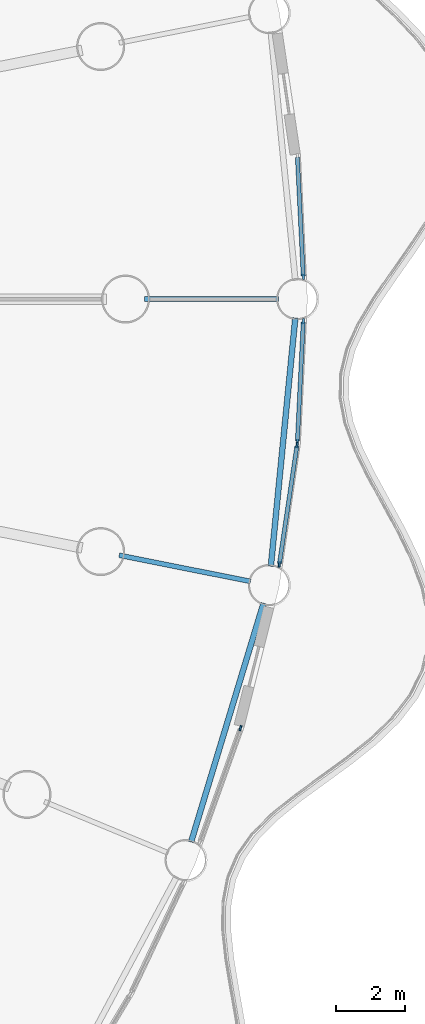
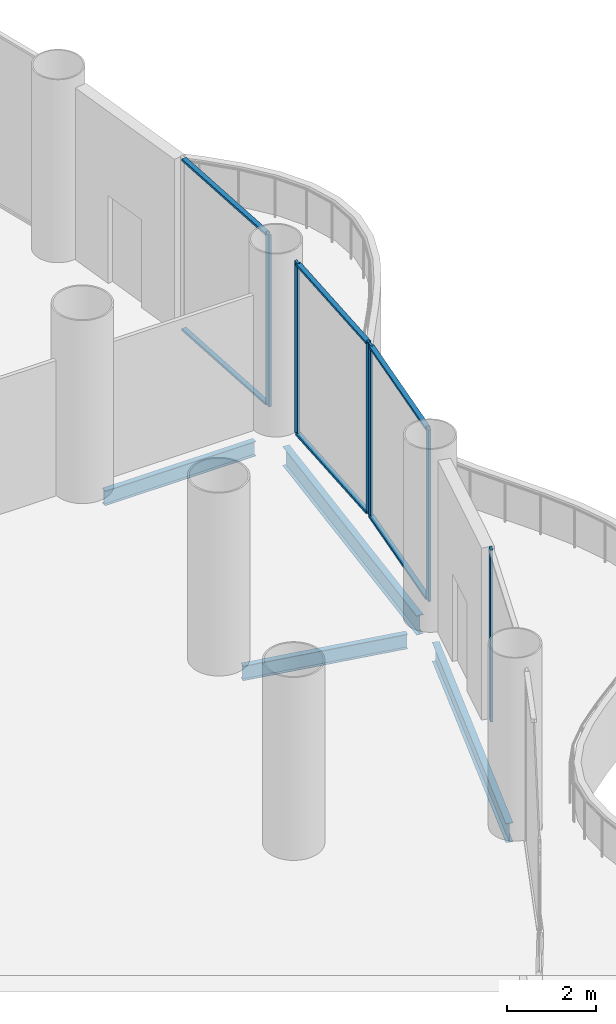
# One storey, part 12 of 35: 12 members, 4 beams, 4 elements without a shape of their own.
"""IFC4 building model written with IfcOpenShell, lengths in metres."""

import ifcopenshell
import ifcopenshell.guid

model = None  # the IFC model being written
_history = None  # IfcOwnerHistory: only IFC2X3 demands one
_inside = {}  # id of a spatial element -> (the spatial element, [elements in it])
_under = {}  # id of a project, library or spatial element -> (it, [spatial elements below it])
_declared = {}  # id of a project -> (the project, [libraries it declares])
_typed = {}  # id of a type object -> (the type object, [elements of that type])
_made_of = {}  # id of a material, layer set ... -> (it, [elements and type objects made of it])


def new_model(schema):
    """Start an empty IFC model of exactly this schema.

    Asked for "IFC4X3", IfcOpenShell would pick the latest addendum, in which some entities
    have other attributes; the version numbers below select the first issue.
    IFC2X3 requires an IfcOwnerHistory on every rooted entity: one is made here for all.
    """
    global model, _history
    if schema == "IFC4X3":
        model = ifcopenshell.file(schema_version=(4, 3, 0, 0))
    else:
        model = ifcopenshell.file(schema=schema)
    _inside.clear()
    _under.clear()
    _declared.clear()
    _typed.clear()
    _made_of.clear()
    _history = None
    if model.schema == "IFC2X3":
        org = make("IfcOrganization", Name="unknown")
        user = make(
            "IfcPersonAndOrganization",
            ThePerson=make("IfcPerson", FamilyName="unknown"),
            TheOrganization=org,
        )
        app = make(
            "IfcApplication",
            ApplicationDeveloper=org,
            Version="unknown",
            ApplicationFullName="unknown",
            ApplicationIdentifier="unknown",
        )
        _history = make(
            "IfcOwnerHistory",
            OwningUser=user,
            OwningApplication=app,
            ChangeAction="ADDED",
            CreationDate=0,
        )
    return model


def make(cls, **values):
    """One entity of the class cls with the attributes given. An attribute that is None is left unset."""
    return model.create_entity(
        cls, **{name: value for name, value in values.items() if value is not None}
    )


def rooted(cls, **values):
    """An entity with a GlobalId (a new one), such as an element, a storey or a relation."""
    return make(cls, GlobalId=ifcopenshell.guid.new(), OwnerHistory=_history, **values)


def si_unit(unit_type, name, prefix=None):
    """IfcSIUnit, for example si_unit("LENGTHUNIT", "METRE", prefix="MILLI")."""
    return make("IfcSIUnit", UnitType=unit_type, Prefix=prefix, Name=name)


def assignment(units):
    """IfcUnitAssignment: the units of a project."""
    return None if units is None else make("IfcUnitAssignment", Units=units)


def point(xyz):
    """IfcCartesianPoint."""
    return None if xyz is None else make("IfcCartesianPoint", Coordinates=xyz)


def direction(xyz):
    """IfcDirection."""
    return None if xyz is None else make("IfcDirection", DirectionRatios=xyz)


def frame(location, z_axis=None, x_axis=None):
    """IfcAxis2Placement3D, a coordinate frame: its origin and axes. An axis left out is left unset."""
    return make(
        "IfcAxis2Placement3D",
        Location=point(location),
        Axis=direction(z_axis),
        RefDirection=direction(x_axis),
    )


def frame_2d(location, x_axis=None):
    """IfcAxis2Placement2D, a coordinate frame in the plane: its origin and x axis."""
    return make(
        "IfcAxis2Placement2D", Location=point(location), RefDirection=direction(x_axis)
    )


def origin():
    """The frame at (0, 0, 0) with its axes left unset."""
    return frame((0.0, 0.0, 0.0))


def origin_2d():
    """The frame at (0, 0) in the plane with its x axis left unset."""
    return frame_2d((0.0, 0.0))


def place(relative_to, where):
    """IfcLocalPlacement: puts the frame where relative to a parent placement (None: the world)."""
    return make(
        "IfcLocalPlacement", PlacementRelTo=relative_to, RelativePlacement=where
    )


def context(
    kind, dimensions, precision=None, world=None, true_north=None, identifier=None
):
    """IfcGeometricRepresentationContext, for example the 3D "Model" context."""
    return make(
        "IfcGeometricRepresentationContext",
        ContextIdentifier=identifier,
        ContextType=kind,
        CoordinateSpaceDimension=dimensions,
        Precision=precision,
        WorldCoordinateSystem=world,
        TrueNorth=true_north,
    )


def subcontext(parent, identifier, kind, view, scale=None):
    """IfcGeometricRepresentationSubContext, for example "Body" below "Model"."""
    return make(
        "IfcGeometricRepresentationSubContext",
        ContextIdentifier=identifier,
        ContextType=kind,
        ParentContext=parent,
        TargetScale=scale,
        TargetView=view,
    )


def project(units=None, contexts=None):
    """IfcProject with its units and contexts."""
    return rooted(
        "IfcProject",
        Name="project",
        RepresentationContexts=contexts,
        UnitsInContext=assignment(units),
    )


def spatial(cls, under=None, at=None, **own):
    """A site, building, storey or space (cls), placed at a placement, below another one or the project."""
    s = rooted(cls, ObjectPlacement=at, **own)
    if under is not None:
        _under.setdefault(under.id(), (under, []))[1].append(s)
    return s


def profile(cls, at=None, kind="AREA", **sizes):
    """A parametric profile (cls). Its sizes go by their IFC names, for example OverallWidth=200.0."""
    return make(cls, ProfileType=kind, Position=at, **sizes)


def rectangle(**sizes):
    """IfcRectangleProfileDef."""
    return profile("IfcRectangleProfileDef", **sizes)


def i_section(**sizes):
    """IfcIShapeProfileDef."""
    return profile("IfcIShapeProfileDef", **sizes)


def extrude(swept, where, along, depth):
    """IfcExtrudedAreaSolid: the profile swept, set in the frame where, extruded along a direction by depth."""
    return make(
        "IfcExtrudedAreaSolid",
        SweptArea=swept,
        Position=where,
        ExtrudedDirection=direction(along),
        Depth=depth,
    )


def shape(context_of_items, identifier, shape_type, items):
    """IfcShapeRepresentation: the items that make up one representation, for example the "Body"."""
    return make(
        "IfcShapeRepresentation",
        ContextOfItems=context_of_items,
        RepresentationIdentifier=identifier,
        RepresentationType=shape_type,
        Items=items,
    )


def material(Name=None, Category=None):
    """IfcMaterial."""
    return make("IfcMaterial", Name=Name, Category=Category)


def material_profile(
    of_material, cross_section, Name=None, Category=None, Priority=None
):
    """IfcMaterialProfile: a cross section and its material."""
    return make(
        "IfcMaterialProfile",
        Name=Name,
        Material=of_material,
        Profile=cross_section,
        Priority=Priority,
        Category=Category,
    )


def profile_set(profiles, Name=None, composite=None):
    """IfcMaterialProfileSet."""
    return make(
        "IfcMaterialProfileSet",
        Name=Name,
        MaterialProfiles=profiles,
        CompositeProfile=composite,
    )


def made_of(thing, what):
    """Note that an element or type object is made of a material, layer set ...; save() writes the relation."""
    if what is not None:
        _made_of.setdefault(what.id(), (what, []))[1].append(thing)
    return thing


def type_object(cls, material=None, **own):
    """A type object (cls), such as IfcWallType, which elements share."""
    return made_of(rooted(cls, **own), material)


def element(
    cls,
    number,
    at=None,
    inside=None,
    cuts=None,
    type_object=None,
    material=None,
    context=None,
    identifier="Body",
    shape_type=None,
    held_by="IfcProductDefinitionShape",
    body=None,
    shapes=None,
    **own,
):
    """One element of the class cls, such as IfcWall. Its Tag is "e" and its number.

    at: its placement. inside: the storey or other place that contains it. cuts: it is an
    opening in that element (IfcRelVoidsElement). A single representation is given by context,
    identifier, shape_type and body (its items); several are given by shapes. held_by: the class
    of the entity that holds the representations. save() writes the other relations.
    """
    e = rooted(cls, Tag="e%d" % number, ObjectPlacement=at, **own)
    if body is not None:
        shapes = [shape(context, identifier, shape_type, body)]
    if shapes is not None:
        e.Representation = make(held_by, Representations=shapes)
    if inside is not None:
        _inside.setdefault(inside.id(), (inside, []))[1].append(e)
    if cuts is not None:
        rooted(
            "IfcRelVoidsElement", RelatingBuildingElement=cuts, RelatedOpeningElement=e
        )
    if type_object is not None:
        _typed.setdefault(type_object.id(), (type_object, []))[1].append(e)
    return made_of(e, material)


def aggregate(whole, parts):
    """IfcRelAggregates: a whole, such as a stair, and the parts it consists of."""
    return rooted("IfcRelAggregates", RelatingObject=whole, RelatedObjects=parts)


def save(model, path):
    """Write the relations noted so far, then the file.

    IfcRelAggregates (storeys below a building ...), IfcRelContainedInSpatialStructure (elements
    in a storey), IfcRelDefinesByType, IfcRelAssociatesMaterial and IfcRelDeclares: one each for
    every whole, place, type object, material and project.
    """
    for whole, parts in _under.values():
        aggregate(whole, parts)
    for where, things in _inside.values():
        rooted(
            "IfcRelContainedInSpatialStructure",
            RelatedElements=things,
            RelatingStructure=where,
        )
    for kind, things in _typed.values():
        rooted("IfcRelDefinesByType", RelatedObjects=things, RelatingType=kind)
    for what, things in _made_of.values():
        rooted("IfcRelAssociatesMaterial", RelatedObjects=things, RelatingMaterial=what)
    for by, libraries in _declared.values():
        rooted("IfcRelDeclares", RelatingContext=by, RelatedDefinitions=libraries)
    model.write(path)


model = new_model("IFC4")

# Units and contexts
model_context = context("Model", 3, precision=1e-05, world=origin(), true_north=direction((0.0, 1.0)))
body_context = subcontext(model_context, "Body", "Model", "MODEL_VIEW")
ifc_project = project(units=[si_unit("LENGTHUNIT", "METRE"), si_unit("AREAUNIT", "SQUARE_METRE"), si_unit("VOLUMEUNIT", "CUBIC_METRE"), si_unit("PLANEANGLEUNIT", "RADIAN"), si_unit("MASSUNIT", "GRAM", prefix="KILO")], contexts=[model_context])

# Site, building, storey
site_placement = place(None, origin())
site = spatial("IfcSite", under=ifc_project, at=site_placement, CompositionType="ELEMENT")
building_placement = place(site_placement, origin())
building = spatial("IfcBuilding", under=site, at=building_placement, Name="Corvane Civic Tower", CompositionType="ELEMENT")
storey_placement = place(building_placement, frame((0.0, 0.0, 27.0)))
storey = spatial("IfcBuildingStorey", under=building, at=storey_placement, Name="L05", CompositionType="ELEMENT", Elevation=27.0)

# Beams
ifc_material_1 = material(Name="Steel ASTM A992 Gr 50", Category="steel")
ifc_material_profile_1 = material_profile(ifc_material_1, i_section(OverallWidth=0.165771484375, OverallDepth=0.5283203125, WebThickness=0.009765625, FlangeThickness=0.013671875, at=origin_2d()), Name="W21X50")
ifc_profile_set_1 = profile_set([ifc_material_profile_1], Name="Steel ASTM A992 Gr 50")
beam_type_1 = type_object("IfcBeamType", Name="EDGE BEAM W21X50", PredefinedType="BEAM", material=ifc_profile_set_1)
for number, where, z_axis, x_axis, name in (
    (1, (42.64599609375, -0.54736328125, -0.564208984375), (-0.097984225478, -0.995187967953, 0.0), (0.995187967953, -0.097984225478, 0.0), "BM-L05-E09"),
    (2, (41.719970703125, -8.856689453125, -0.564208984375), (-0.290291633127, -0.956938225664, 0.0), (0.956938225664, -0.290291633127, 0.0), "BM-L05-E10"),
):
    element("IfcBeam", number, at=place(storey_placement, frame(where, z_axis=z_axis, x_axis=x_axis)), inside=storey, type_object=beam_type_1, Name=name, PredefinedType="BEAM", context=body_context, shape_type="SweptSolid", body=[
        extrude(i_section(OverallWidth=0.165771484375, OverallDepth=0.5283203125, WebThickness=0.009765625, FlangeThickness=0.013671875, at=origin_2d()), origin(), (0.0, 0.0, 1.0), 7.2705078125),
    ])
ifc_material_2 = material(Name="Steel ASTM A992 Gr 50", Category="steel")
ifc_material_profile_2 = material_profile(ifc_material_2, i_section(OverallWidth=0.140380859375, OverallDepth=0.40380859375, WebThickness=0.007080078125, FlangeThickness=0.01123046875, at=origin_2d()), Name="W16X31")
ifc_profile_set_2 = profile_set([ifc_material_profile_2], Name="Steel ASTM A992 Gr 50")
beam_type_2 = type_object("IfcBeamType", Name="FLOOR GIRDER W16X31", PredefinedType="BEAM", material=ifc_profile_set_2)
for number, where, z_axis, x_axis, name in (
    (3, (38.25, 0.0, -0.501953125), (1.0, 0.0, 0.0), (0.0, 1.0, 0.0), "BM-L05-G09b"),
    (4, (37.51513671875, -7.462158203125, -0.501953125), (0.980777614264, -0.195128858343, 0.0), (0.195128858343, 0.980777614264, 0.0), "BM-L05-G10b"),
):
    element("IfcBeam", number, at=place(storey_placement, frame(where, z_axis=z_axis, x_axis=x_axis)), inside=storey, type_object=beam_type_2, Name=name, PredefinedType="BEAM", context=body_context, shape_type="SweptSolid", body=[
        extrude(i_section(OverallWidth=0.140380859375, OverallDepth=0.40380859375, WebThickness=0.007080078125, FlangeThickness=0.01123046875, at=origin_2d()), origin(), (0.0, 0.0, 1.0), 3.89990234375),
    ])

# Curtain wall, member
ifc_material_3 = material(Name="Aluminium and glass", Category="aluminium")
curtain_wall_type = type_object("IfcCurtainWallType", Name="PODIUM-CW-P-RUN", PredefinedType="NOTDEFINED", material=ifc_material_3)
curtain_wall_1_placement = place(storey_placement, origin())
curtain_wall_1 = element("IfcCurtainWall", 5, at=curtain_wall_1_placement, inside=storey, type_object=curtain_wall_type, Name="PODI run L05-drum-08B", PredefinedType="NOTDEFINED")
ifc_material_4 = material(Name="Anodised aluminium bronze", Category="aluminium")
ifc_material_profile_3 = material_profile(ifc_material_4, rectangle(XDim=0.06005859375, YDim=0.159912109375, at=origin_2d()), Name="AL 60x160")
ifc_profile_set_3 = profile_set([ifc_material_profile_3], Name="Anodised aluminium bronze")
member_type_1 = type_object("IfcMemberType", Name="PODIUM-CWP-MULLION-60x160", PredefinedType="MULLION", material=ifc_profile_set_3)
member_1_placement = place(storey_placement, frame((42.878173828125, 0.644775390625, 0.0), z_axis=(0.0, 0.0, 1.0), x_axis=(0.998796316803, 0.04905015332, 0.0)))
member_1 = element("IfcMember", 6, at=member_1_placement, type_object=member_type_1, Name="CW-P mullion 2", PredefinedType="MULLION", context=body_context, shape_type="SweptSolid", body=[
    extrude(rectangle(XDim=0.06005859375, YDim=0.159912109375, at=origin_2d()), origin(), (0.0, 0.0, 1.0), 4.699951171875),
])

# Curtain wall, members
curtain_wall_2_placement = place(storey_placement, origin())
curtain_wall_2 = element("IfcCurtainWall", 7, at=curtain_wall_2_placement, inside=storey, type_object=curtain_wall_type, Name="PODI run L05-drum-09A", PredefinedType="NOTDEFINED")
member_2_placement = place(storey_placement, frame((42.878173828125, -0.644775390625, 0.0), z_axis=(0.0, 0.0, 1.0), x_axis=(0.998796316803, -0.04905015332, 0.0)))
member_2 = element("IfcMember", 8, at=member_2_placement, type_object=member_type_1, Name="CW-P mullion 1", PredefinedType="MULLION", context=body_context, shape_type="SweptSolid", body=[
    extrude(rectangle(XDim=0.06005859375, YDim=0.159912109375, at=origin_2d()), origin(), (0.0, 0.0, 1.0), 4.699951171875),
])
member_3_placement = place(storey_placement, frame((42.70556640625, -4.16064453125, 0.0), z_axis=(0.0, 0.0, 1.0), x_axis=(0.998796316803, -0.04905015332, 0.0)))
member_3 = element("IfcMember", 9, at=member_3_placement, type_object=member_type_1, Name="CW-P mullion 2", PredefinedType="MULLION", context=body_context, shape_type="SweptSolid", body=[
    extrude(rectangle(XDim=0.06005859375, YDim=0.159912109375, at=origin_2d()), origin(), (0.0, 0.0, 1.0), 4.699951171875),
])

curtain_wall_3_placement = place(storey_placement, origin())
curtain_wall_3 = element("IfcCurtainWall", 10, at=curtain_wall_3_placement, inside=storey, type_object=curtain_wall_type, Name="PODI run L05-drum-09B", PredefinedType="NOTDEFINED")
member_4_placement = place(storey_placement, frame((42.696533203125, -4.2509765625, 0.0), z_axis=(0.0, 0.0, 1.0), x_axis=(0.989178850608, -0.146714694252, 0.0)))
member_4 = element("IfcMember", 11, at=member_4_placement, type_object=member_type_1, Name="CW-P mullion 1", PredefinedType="MULLION", context=body_context, shape_type="SweptSolid", body=[
    extrude(rectangle(XDim=0.06005859375, YDim=0.159912109375, at=origin_2d()), origin(), (0.0, 0.0, 1.0), 4.699951171875),
])
member_5_placement = place(storey_placement, frame((42.18017578125, -7.732666015625, 0.0), z_axis=(0.0, 0.0, 1.0), x_axis=(0.989178850608, -0.146714694252, 0.0)))
member_5 = element("IfcMember", 12, at=member_5_placement, type_object=member_type_1, Name="CW-P mullion 2", PredefinedType="MULLION", context=body_context, shape_type="SweptSolid", body=[
    extrude(rectangle(XDim=0.06005859375, YDim=0.159912109375, at=origin_2d()), origin(), (0.0, 0.0, 1.0), 4.699951171875),
])

# Curtain wall, member
curtain_wall_4_placement = place(storey_placement, origin())
curtain_wall_4 = element("IfcCurtainWall", 13, at=curtain_wall_4_placement, inside=storey, type_object=curtain_wall_type, Name="PODI run L05-drum-10B", PredefinedType="NOTDEFINED")
member_6_placement = place(storey_placement, frame((41.046875, -12.4990234375, 0.0), z_axis=(0.0, 0.0, 1.0), x_axis=(0.941533802561, -0.336918534123, 0.0)))
member_6 = element("IfcMember", 14, at=member_6_placement, type_object=member_type_1, Name="CW-P mullion 1", PredefinedType="MULLION", context=body_context, shape_type="SweptSolid", body=[
    extrude(rectangle(XDim=0.06005859375, YDim=0.159912109375, at=origin_2d()), origin(), (0.0, 0.0, 1.0), 4.699951171875),
])
aggregate(curtain_wall_4, [member_6])

# Member
ifc_material_5 = material(Name="Anodised aluminium bronze", Category="aluminium")
ifc_material_profile_4 = material_profile(ifc_material_5, rectangle(XDim=0.1201171875, YDim=0.06005859375, at=origin_2d()), Name="AL 120x60")
ifc_profile_set_4 = profile_set([ifc_material_profile_4], Name="Anodised aluminium bronze")
member_type_2 = type_object("IfcMemberType", Name="PODIUM-CWP-TRANSOM-60x120", PredefinedType="USERDEFINED", material=ifc_profile_set_4)
member_7_placement = place(storey_placement, frame((42.70703125, 4.130615234375, 0.030029296875), z_axis=(0.049040182301, -0.998796806423, 0.0), x_axis=(0.998796806423, 0.049040182301, 0.0)))
member_7 = element("IfcMember", 15, at=member_7_placement, type_object=member_type_2, Name="CW-P transom 1.1", ObjectType="TRANSOM", PredefinedType="USERDEFINED", context=body_context, shape_type="SweptSolid", body=[
    extrude(rectangle(XDim=0.1201171875, YDim=0.06005859375, at=origin_2d()), origin(), (0.0, 0.0, 1.0), 3.4599609375),
])

member_8_placement = place(storey_placement, frame((42.70703125, 4.130615234375, 4.669921875), z_axis=(0.049040182301, -0.998796806423, 0.0), x_axis=(0.998796806423, 0.049040182301, 0.0)))
member_8 = element("IfcMember", 16, at=member_8_placement, type_object=member_type_2, Name="CW-P transom 1.2", ObjectType="TRANSOM", PredefinedType="USERDEFINED", context=body_context, shape_type="SweptSolid", body=[
    extrude(rectangle(XDim=0.1201171875, YDim=0.06005859375, at=origin_2d()), origin(), (0.0, 0.0, 1.0), 3.4599609375),
])

aggregate(curtain_wall_1, [member_1, member_7, member_8])

member_9_placement = place(storey_placement, frame((42.876708984375, -0.6748046875, 0.030029296875), z_axis=(-0.049040182301, -0.998796806423, 0.0), x_axis=(0.998796806423, -0.049040182301, 0.0)))
member_9 = element("IfcMember", 17, at=member_9_placement, type_object=member_type_2, Name="CW-P transom 1.1", ObjectType="TRANSOM", PredefinedType="USERDEFINED", context=body_context, shape_type="SweptSolid", body=[
    extrude(rectangle(XDim=0.1201171875, YDim=0.06005859375, at=origin_2d()), origin(), (0.0, 0.0, 1.0), 3.4599609375),
])

member_10_placement = place(storey_placement, frame((42.876708984375, -0.6748046875, 4.669921875), z_axis=(-0.049040182301, -0.998796806423, 0.0), x_axis=(0.998796806423, -0.049040182301, 0.0)))
member_10 = element("IfcMember", 18, at=member_10_placement, type_object=member_type_2, Name="CW-P transom 1.2", ObjectType="TRANSOM", PredefinedType="USERDEFINED", context=body_context, shape_type="SweptSolid", body=[
    extrude(rectangle(XDim=0.1201171875, YDim=0.06005859375, at=origin_2d()), origin(), (0.0, 0.0, 1.0), 3.4599609375),
])

aggregate(curtain_wall_2, [member_2, member_3, member_9, member_10])

member_11_placement = place(storey_placement, frame((42.692138671875, -4.28076171875, 0.030029296875), z_axis=(-0.146704660039, -0.989180338828, 0.0), x_axis=(0.989180338828, -0.146704660039, 0.0)))
member_11 = element("IfcMember", 19, at=member_11_placement, type_object=member_type_2, Name="CW-P transom 1.1", ObjectType="TRANSOM", PredefinedType="USERDEFINED", context=body_context, shape_type="SweptSolid", body=[
    extrude(rectangle(XDim=0.1201171875, YDim=0.06005859375, at=origin_2d()), origin(), (0.0, 0.0, 1.0), 3.459716796875),
])

member_12_placement = place(storey_placement, frame((42.692138671875, -4.28076171875, 4.669921875), z_axis=(-0.146704660039, -0.989180338828, 0.0), x_axis=(0.989180338828, -0.146704660039, 0.0)))
member_12 = element("IfcMember", 20, at=member_12_placement, type_object=member_type_2, Name="CW-P transom 1.2", ObjectType="TRANSOM", PredefinedType="USERDEFINED", context=body_context, shape_type="SweptSolid", body=[
    extrude(rectangle(XDim=0.1201171875, YDim=0.06005859375, at=origin_2d()), origin(), (0.0, 0.0, 1.0), 3.459716796875),
])

aggregate(curtain_wall_3, [member_4, member_5, member_11, member_12])

save(model, "model.ifc")
